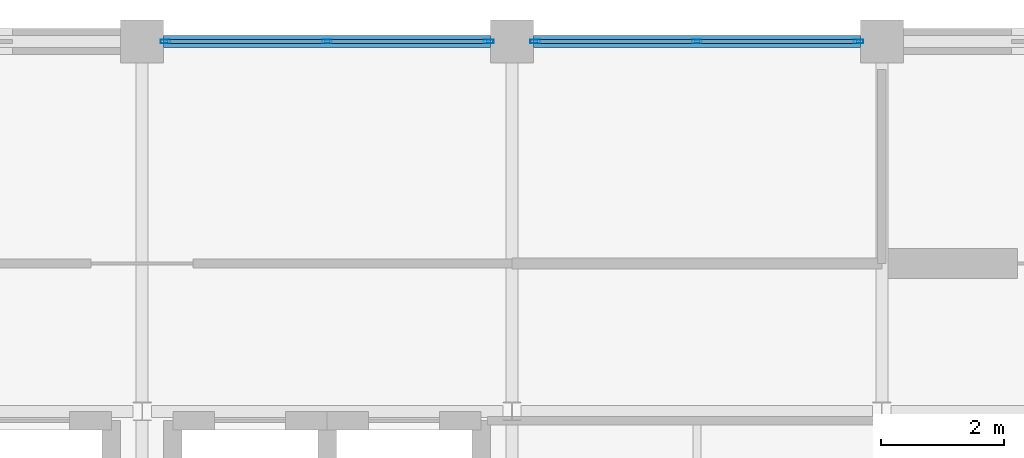
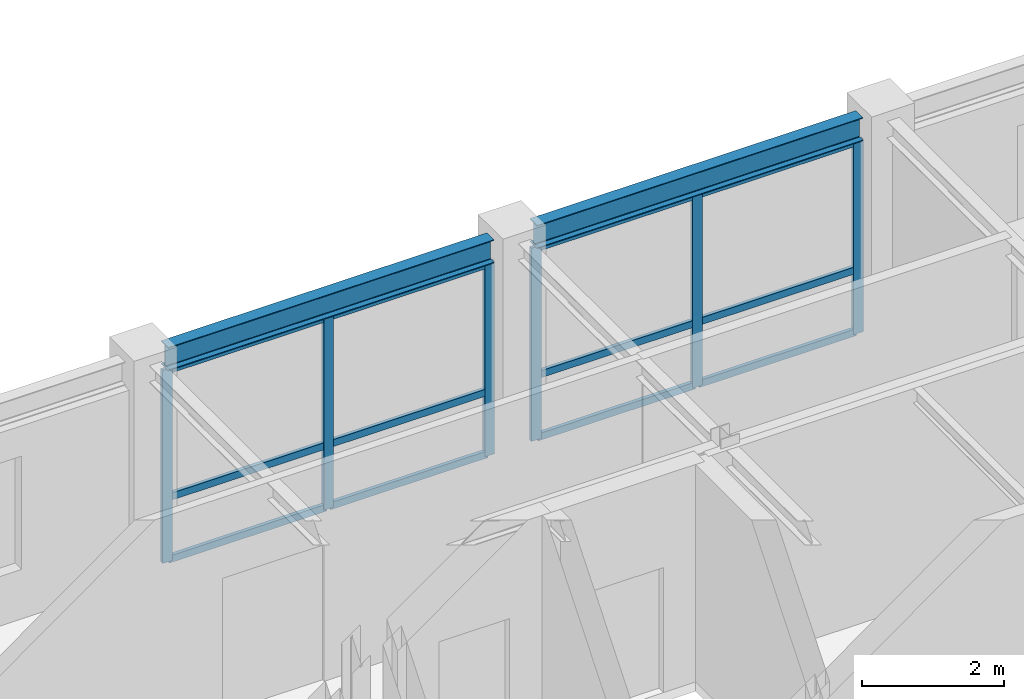
# One storey, part 6 of 11: 18 members, 2 beams, 2 elements without a shape of their own.
"""IFC4 building model written with IfcOpenShell, lengths in metres."""

import ifcopenshell
import ifcopenshell.guid

model = None  # the IFC model being written
_history = None  # IfcOwnerHistory: only IFC2X3 demands one
_inside = {}  # id of a spatial element -> (the spatial element, [elements in it])
_under = {}  # id of a project, library or spatial element -> (it, [spatial elements below it])
_declared = {}  # id of a project -> (the project, [libraries it declares])
_typed = {}  # id of a type object -> (the type object, [elements of that type])
_made_of = {}  # id of a material, layer set ... -> (it, [elements and type objects made of it])


def new_model(schema):
    """Start an empty IFC model of exactly this schema.

    Asked for "IFC4X3", IfcOpenShell would pick the latest addendum, in which some entities
    have other attributes; the version numbers below select the first issue.
    IFC2X3 requires an IfcOwnerHistory on every rooted entity: one is made here for all.
    """
    global model, _history
    if schema == "IFC4X3":
        model = ifcopenshell.file(schema_version=(4, 3, 0, 0))
    else:
        model = ifcopenshell.file(schema=schema)
    _inside.clear()
    _under.clear()
    _declared.clear()
    _typed.clear()
    _made_of.clear()
    _history = None
    if model.schema == "IFC2X3":
        org = make("IfcOrganization", Name="unknown")
        user = make(
            "IfcPersonAndOrganization",
            ThePerson=make("IfcPerson", FamilyName="unknown"),
            TheOrganization=org,
        )
        app = make(
            "IfcApplication",
            ApplicationDeveloper=org,
            Version="unknown",
            ApplicationFullName="unknown",
            ApplicationIdentifier="unknown",
        )
        _history = make(
            "IfcOwnerHistory",
            OwningUser=user,
            OwningApplication=app,
            ChangeAction="ADDED",
            CreationDate=0,
        )
    return model


def make(cls, **values):
    """One entity of the class cls with the attributes given. An attribute that is None is left unset."""
    return model.create_entity(
        cls, **{name: value for name, value in values.items() if value is not None}
    )


def rooted(cls, **values):
    """An entity with a GlobalId (a new one), such as an element, a storey or a relation."""
    return make(cls, GlobalId=ifcopenshell.guid.new(), OwnerHistory=_history, **values)


def si_unit(unit_type, name, prefix=None):
    """IfcSIUnit, for example si_unit("LENGTHUNIT", "METRE", prefix="MILLI")."""
    return make("IfcSIUnit", UnitType=unit_type, Prefix=prefix, Name=name)


def assignment(units):
    """IfcUnitAssignment: the units of a project."""
    return None if units is None else make("IfcUnitAssignment", Units=units)


def point(xyz):
    """IfcCartesianPoint."""
    return None if xyz is None else make("IfcCartesianPoint", Coordinates=xyz)


def direction(xyz):
    """IfcDirection."""
    return None if xyz is None else make("IfcDirection", DirectionRatios=xyz)


def frame(location, z_axis=None, x_axis=None):
    """IfcAxis2Placement3D, a coordinate frame: its origin and axes. An axis left out is left unset."""
    return make(
        "IfcAxis2Placement3D",
        Location=point(location),
        Axis=direction(z_axis),
        RefDirection=direction(x_axis),
    )


def frame_2d(location, x_axis=None):
    """IfcAxis2Placement2D, a coordinate frame in the plane: its origin and x axis."""
    return make(
        "IfcAxis2Placement2D", Location=point(location), RefDirection=direction(x_axis)
    )


def origin():
    """The frame at (0, 0, 0) with its axes left unset."""
    return frame((0.0, 0.0, 0.0))


def origin_2d():
    """The frame at (0, 0) in the plane with its x axis left unset."""
    return frame_2d((0.0, 0.0))


def place(relative_to, where):
    """IfcLocalPlacement: puts the frame where relative to a parent placement (None: the world)."""
    return make(
        "IfcLocalPlacement", PlacementRelTo=relative_to, RelativePlacement=where
    )


def context(
    kind, dimensions, precision=None, world=None, true_north=None, identifier=None
):
    """IfcGeometricRepresentationContext, for example the 3D "Model" context."""
    return make(
        "IfcGeometricRepresentationContext",
        ContextIdentifier=identifier,
        ContextType=kind,
        CoordinateSpaceDimension=dimensions,
        Precision=precision,
        WorldCoordinateSystem=world,
        TrueNorth=true_north,
    )


def subcontext(parent, identifier, kind, view, scale=None):
    """IfcGeometricRepresentationSubContext, for example "Body" below "Model"."""
    return make(
        "IfcGeometricRepresentationSubContext",
        ContextIdentifier=identifier,
        ContextType=kind,
        ParentContext=parent,
        TargetScale=scale,
        TargetView=view,
    )


def project(units=None, contexts=None):
    """IfcProject with its units and contexts."""
    return rooted(
        "IfcProject",
        Name="project",
        RepresentationContexts=contexts,
        UnitsInContext=assignment(units),
    )


def spatial(cls, under=None, at=None, **own):
    """A site, building, storey or space (cls), placed at a placement, below another one or the project."""
    s = rooted(cls, ObjectPlacement=at, **own)
    if under is not None:
        _under.setdefault(under.id(), (under, []))[1].append(s)
    return s


def profile(cls, at=None, kind="AREA", **sizes):
    """A parametric profile (cls). Its sizes go by their IFC names, for example OverallWidth=200.0."""
    return make(cls, ProfileType=kind, Position=at, **sizes)


def hollow_rectangle(**sizes):
    """IfcRectangleHollowProfileDef."""
    return profile("IfcRectangleHollowProfileDef", **sizes)


def i_section(**sizes):
    """IfcIShapeProfileDef."""
    return profile("IfcIShapeProfileDef", **sizes)


def extrude(swept, where, along, depth):
    """IfcExtrudedAreaSolid: the profile swept, set in the frame where, extruded along a direction by depth."""
    return make(
        "IfcExtrudedAreaSolid",
        SweptArea=swept,
        Position=where,
        ExtrudedDirection=direction(along),
        Depth=depth,
    )


def shape(context_of_items, identifier, shape_type, items):
    """IfcShapeRepresentation: the items that make up one representation, for example the "Body"."""
    return make(
        "IfcShapeRepresentation",
        ContextOfItems=context_of_items,
        RepresentationIdentifier=identifier,
        RepresentationType=shape_type,
        Items=items,
    )


def material(Name=None, Category=None):
    """IfcMaterial."""
    return make("IfcMaterial", Name=Name, Category=Category)


def layer(
    of_material, thickness, ventilated=None, Name=None, Category=None, Priority=None
):
    """IfcMaterialLayer: one layer of a wall or slab, of a material (None: an air gap)."""
    return make(
        "IfcMaterialLayer",
        Material=of_material,
        LayerThickness=thickness,
        IsVentilated=ventilated,
        Name=Name,
        Category=Category,
        Priority=Priority,
    )


def layer_set(layers, Name=None):
    """IfcMaterialLayerSet."""
    return make("IfcMaterialLayerSet", MaterialLayers=layers, LayerSetName=Name)


def material_profile(
    of_material, cross_section, Name=None, Category=None, Priority=None
):
    """IfcMaterialProfile: a cross section and its material."""
    return make(
        "IfcMaterialProfile",
        Name=Name,
        Material=of_material,
        Profile=cross_section,
        Priority=Priority,
        Category=Category,
    )


def profile_set(profiles, Name=None, composite=None):
    """IfcMaterialProfileSet."""
    return make(
        "IfcMaterialProfileSet",
        Name=Name,
        MaterialProfiles=profiles,
        CompositeProfile=composite,
    )


def made_of(thing, what):
    """Note that an element or type object is made of a material, layer set ...; save() writes the relation."""
    if what is not None:
        _made_of.setdefault(what.id(), (what, []))[1].append(thing)
    return thing


def type_object(cls, material=None, **own):
    """A type object (cls), such as IfcWallType, which elements share."""
    return made_of(rooted(cls, **own), material)


def element(
    cls,
    number,
    at=None,
    inside=None,
    cuts=None,
    type_object=None,
    material=None,
    context=None,
    identifier="Body",
    shape_type=None,
    held_by="IfcProductDefinitionShape",
    body=None,
    shapes=None,
    **own,
):
    """One element of the class cls, such as IfcWall. Its Tag is "e" and its number.

    at: its placement. inside: the storey or other place that contains it. cuts: it is an
    opening in that element (IfcRelVoidsElement). A single representation is given by context,
    identifier, shape_type and body (its items); several are given by shapes. held_by: the class
    of the entity that holds the representations. save() writes the other relations.
    """
    e = rooted(cls, Tag="e%d" % number, ObjectPlacement=at, **own)
    if body is not None:
        shapes = [shape(context, identifier, shape_type, body)]
    if shapes is not None:
        e.Representation = make(held_by, Representations=shapes)
    if inside is not None:
        _inside.setdefault(inside.id(), (inside, []))[1].append(e)
    if cuts is not None:
        rooted(
            "IfcRelVoidsElement", RelatingBuildingElement=cuts, RelatedOpeningElement=e
        )
    if type_object is not None:
        _typed.setdefault(type_object.id(), (type_object, []))[1].append(e)
    return made_of(e, material)


def aggregate(whole, parts):
    """IfcRelAggregates: a whole, such as a stair, and the parts it consists of."""
    return rooted("IfcRelAggregates", RelatingObject=whole, RelatedObjects=parts)


def save(model, path):
    """Write the relations noted so far, then the file.

    IfcRelAggregates (storeys below a building ...), IfcRelContainedInSpatialStructure (elements
    in a storey), IfcRelDefinesByType, IfcRelAssociatesMaterial and IfcRelDeclares: one each for
    every whole, place, type object, material and project.
    """
    for whole, parts in _under.values():
        aggregate(whole, parts)
    for where, things in _inside.values():
        rooted(
            "IfcRelContainedInSpatialStructure",
            RelatedElements=things,
            RelatingStructure=where,
        )
    for kind, things in _typed.values():
        rooted("IfcRelDefinesByType", RelatedObjects=things, RelatingType=kind)
    for what, things in _made_of.values():
        rooted("IfcRelAssociatesMaterial", RelatedObjects=things, RelatingMaterial=what)
    for by, libraries in _declared.values():
        rooted("IfcRelDeclares", RelatingContext=by, RelatedDefinitions=libraries)
    model.write(path)


model = new_model("IFC4")

# Units and contexts
model_context = context("Model", 3, precision=1e-05, world=origin(), true_north=direction((0.0, 1.0)))
body_context = subcontext(model_context, "Body", "Model", "MODEL_VIEW")
ifc_project = project(units=[si_unit("LENGTHUNIT", "METRE"), si_unit("AREAUNIT", "SQUARE_METRE"), si_unit("VOLUMEUNIT", "CUBIC_METRE"), si_unit("PLANEANGLEUNIT", "RADIAN"), si_unit("MASSUNIT", "GRAM", prefix="KILO")], contexts=[model_context])

# Site, building, storey
site_placement = place(None, origin())
site = spatial("IfcSite", under=ifc_project, at=site_placement, CompositionType="ELEMENT")
building_placement = place(site_placement, origin())
building = spatial("IfcBuilding", under=site, at=building_placement, Name="Zlatovratsky Civic Hall", CompositionType="ELEMENT")
storey_placement = place(building_placement, frame((0.0, 0.0, 52.199951171875)))
storey = spatial("IfcBuildingStorey", under=building, at=storey_placement, Name="L13", CompositionType="ELEMENT", Elevation=52.199951171875)

# Beams
ifc_material_1 = material(Name="Steel S355", Category="steel")
ifc_material_profile_1 = material_profile(ifc_material_1, i_section(OverallWidth=0.199951171875, OverallDepth=0.39990234375, WebThickness=0.008056640625, FlangeThickness=0.012939453125, FilletRadius=0.014892578125, at=origin_2d()), Name="40B2")
ifc_profile_set_1 = profile_set([ifc_material_profile_1], Name="Steel S355")
beam_type = type_object("IfcBeamType", Name="Beam_Spandrel_40B2", PredefinedType="SPANDREL", material=ifc_profile_set_1)
for number, where, z_axis, x_axis, name in (
    (1, (78.35009765625, 102.0, 3.5400390625), (1.0, 0.0, 0.0), (0.0, 1.0, 0.0), "BM-4922"),
    (2, (84.35009765625, 102.0, 3.5400390625), (1.0, 0.0, 0.0), (0.0, 1.0, 0.0), "BM-4923"),
):
    element("IfcBeam", number, at=place(storey_placement, frame(where, z_axis=z_axis, x_axis=x_axis)), inside=storey, type_object=beam_type, Name=name, PredefinedType="SPANDREL", context=body_context, shape_type="SweptSolid", body=[
        extrude(i_section(OverallWidth=0.199951171875, OverallDepth=0.39990234375, WebThickness=0.008056640625, FlangeThickness=0.012939453125, FilletRadius=0.014892578125, at=origin_2d()), origin(), (0.0, 0.0, 1.0), 5.2998046875),
    ])

# Curtain wall, members
ifc_material_2 = material(Name="Anodised bronze aluminium", Category="aluminium")
ifc_layer = layer(ifc_material_2, 0.159912109375)
ifc_layer_set = layer_set([ifc_layer], Name="Anodised bronze aluminium")
curtain_wall_type = type_object("IfcCurtainWallType", Name="CurtainWall_Bronze_5300x3320_21", PredefinedType="NOTDEFINED", material=ifc_layer_set)
curtain_wall_1_placement = place(storey_placement, origin())
curtain_wall_1 = element("IfcCurtainWall", 3, at=curtain_wall_1_placement, inside=storey, type_object=curtain_wall_type, Name="CW-163", PredefinedType="NOTDEFINED")
ifc_material_profile_2 = material_profile(ifc_material_2, hollow_rectangle(XDim=0.06005859375, YDim=0.159912109375, WallThickness=0.00390625, at=origin_2d()), Name="ALU 60x160x4")
ifc_profile_set_2 = profile_set([ifc_material_profile_2], Name="Anodised bronze aluminium")
member_type_1 = type_object("IfcMemberType", Name="CW_Mullion_60x160", PredefinedType="MULLION", material=ifc_profile_set_2)
member_1_placement = place(storey_placement, frame((78.3798828125, 102.0, 0.0), z_axis=(0.0, 0.0, 1.0), x_axis=(0.0, 1.0, 0.0)))
member_1 = element("IfcMember", 4, at=member_1_placement, type_object=member_type_1, Name="CW-21 mullion 1", PredefinedType="MULLION", context=body_context, shape_type="SweptSolid", body=[
    extrude(hollow_rectangle(XDim=0.06005859375, YDim=0.159912109375, WallThickness=0.00390625, at=origin_2d()), origin(), (0.0, 0.0, 1.0), 3.320068359375),
])
member_2_placement = place(storey_placement, frame((81.0, 102.0, 0.0), z_axis=(0.0, 0.0, 1.0), x_axis=(0.0, 1.0, 0.0)))
member_2 = element("IfcMember", 5, at=member_2_placement, type_object=member_type_1, Name="CW-21 mullion 2", PredefinedType="MULLION", context=body_context, shape_type="SweptSolid", body=[
    extrude(hollow_rectangle(XDim=0.06005859375, YDim=0.159912109375, WallThickness=0.00390625, at=origin_2d()), origin(), (0.0, 0.0, 1.0), 3.320068359375),
])
member_3_placement = place(storey_placement, frame((83.6201171875, 102.0, 0.0), z_axis=(0.0, 0.0, 1.0), x_axis=(0.0, 1.0, 0.0)))
member_3 = element("IfcMember", 6, at=member_3_placement, type_object=member_type_1, Name="CW-21 mullion 3", PredefinedType="MULLION", context=body_context, shape_type="SweptSolid", body=[
    extrude(hollow_rectangle(XDim=0.06005859375, YDim=0.159912109375, WallThickness=0.00390625, at=origin_2d()), origin(), (0.0, 0.0, 1.0), 3.320068359375),
])

curtain_wall_2_placement = place(storey_placement, origin())
curtain_wall_2 = element("IfcCurtainWall", 7, at=curtain_wall_2_placement, inside=storey, type_object=curtain_wall_type, Name="CW-164", PredefinedType="NOTDEFINED")
member_4_placement = place(storey_placement, frame((84.3798828125, 102.0, 0.0), z_axis=(0.0, 0.0, 1.0), x_axis=(0.0, 1.0, 0.0)))
member_4 = element("IfcMember", 8, at=member_4_placement, type_object=member_type_1, Name="CW-21 mullion 1", PredefinedType="MULLION", context=body_context, shape_type="SweptSolid", body=[
    extrude(hollow_rectangle(XDim=0.06005859375, YDim=0.159912109375, WallThickness=0.00390625, at=origin_2d()), origin(), (0.0, 0.0, 1.0), 3.320068359375),
])
member_5_placement = place(storey_placement, frame((87.0, 102.0, 0.0), z_axis=(0.0, 0.0, 1.0), x_axis=(0.0, 1.0, 0.0)))
member_5 = element("IfcMember", 9, at=member_5_placement, type_object=member_type_1, Name="CW-21 mullion 2", PredefinedType="MULLION", context=body_context, shape_type="SweptSolid", body=[
    extrude(hollow_rectangle(XDim=0.06005859375, YDim=0.159912109375, WallThickness=0.00390625, at=origin_2d()), origin(), (0.0, 0.0, 1.0), 3.320068359375),
])
member_6_placement = place(storey_placement, frame((89.6201171875, 102.0, 0.0), z_axis=(0.0, 0.0, 1.0), x_axis=(0.0, 1.0, 0.0)))
member_6 = element("IfcMember", 10, at=member_6_placement, type_object=member_type_1, Name="CW-21 mullion 3", PredefinedType="MULLION", context=body_context, shape_type="SweptSolid", body=[
    extrude(hollow_rectangle(XDim=0.06005859375, YDim=0.159912109375, WallThickness=0.00390625, at=origin_2d()), origin(), (0.0, 0.0, 1.0), 3.320068359375),
])

# Member
ifc_material_profile_3 = material_profile(ifc_material_2, hollow_rectangle(XDim=0.06005859375, YDim=0.1201171875, WallThickness=0.00390625, at=origin_2d()), Name="ALU 60x120x4")
ifc_profile_set_3 = profile_set([ifc_material_profile_3], Name="Anodised bronze aluminium")
member_type_2 = type_object("IfcMemberType", Name="CW_Transom_60x120", PredefinedType="USERDEFINED", material=ifc_profile_set_3)
member_7_placement = place(storey_placement, frame((78.409912109375, 102.0, 0.030029296875), z_axis=(1.0, 0.0, 0.0), x_axis=(0.0, 1.0, 0.0)))
member_7 = element("IfcMember", 11, at=member_7_placement, type_object=member_type_2, Name="CW-21 transom 1.1", ObjectType="TRANSOM", PredefinedType="USERDEFINED", context=body_context, shape_type="SweptSolid", body=[
    extrude(hollow_rectangle(XDim=0.06005859375, YDim=0.1201171875, WallThickness=0.00390625, at=origin_2d()), origin(), (0.0, 0.0, 1.0), 2.56005859375),
])

member_8_placement = place(storey_placement, frame((78.409912109375, 102.0, 1.10009765625), z_axis=(1.0, 0.0, 0.0), x_axis=(0.0, 1.0, 0.0)))
member_8 = element("IfcMember", 12, at=member_8_placement, type_object=member_type_2, Name="CW-21 transom 1.2", ObjectType="TRANSOM", PredefinedType="USERDEFINED", context=body_context, shape_type="SweptSolid", body=[
    extrude(hollow_rectangle(XDim=0.06005859375, YDim=0.1201171875, WallThickness=0.00390625, at=origin_2d()), origin(), (0.0, 0.0, 1.0), 2.56005859375),
])

member_9_placement = place(storey_placement, frame((78.409912109375, 102.0, 3.2900390625), z_axis=(1.0, 0.0, 0.0), x_axis=(0.0, 1.0, 0.0)))
member_9 = element("IfcMember", 13, at=member_9_placement, type_object=member_type_2, Name="CW-21 transom 1.3", ObjectType="TRANSOM", PredefinedType="USERDEFINED", context=body_context, shape_type="SweptSolid", body=[
    extrude(hollow_rectangle(XDim=0.06005859375, YDim=0.1201171875, WallThickness=0.00390625, at=origin_2d()), origin(), (0.0, 0.0, 1.0), 2.56005859375),
])

member_10_placement = place(storey_placement, frame((81.030029296875, 102.0, 0.030029296875), z_axis=(1.0, 0.0, 0.0), x_axis=(0.0, 1.0, 0.0)))
member_10 = element("IfcMember", 14, at=member_10_placement, type_object=member_type_2, Name="CW-21 transom 2.1", ObjectType="TRANSOM", PredefinedType="USERDEFINED", context=body_context, shape_type="SweptSolid", body=[
    extrude(hollow_rectangle(XDim=0.06005859375, YDim=0.1201171875, WallThickness=0.00390625, at=origin_2d()), origin(), (0.0, 0.0, 1.0), 2.56005859375),
])

member_11_placement = place(storey_placement, frame((81.030029296875, 102.0, 1.10009765625), z_axis=(1.0, 0.0, 0.0), x_axis=(0.0, 1.0, 0.0)))
member_11 = element("IfcMember", 15, at=member_11_placement, type_object=member_type_2, Name="CW-21 transom 2.2", ObjectType="TRANSOM", PredefinedType="USERDEFINED", context=body_context, shape_type="SweptSolid", body=[
    extrude(hollow_rectangle(XDim=0.06005859375, YDim=0.1201171875, WallThickness=0.00390625, at=origin_2d()), origin(), (0.0, 0.0, 1.0), 2.56005859375),
])

member_12_placement = place(storey_placement, frame((81.030029296875, 102.0, 3.2900390625), z_axis=(1.0, 0.0, 0.0), x_axis=(0.0, 1.0, 0.0)))
member_12 = element("IfcMember", 16, at=member_12_placement, type_object=member_type_2, Name="CW-21 transom 2.3", ObjectType="TRANSOM", PredefinedType="USERDEFINED", context=body_context, shape_type="SweptSolid", body=[
    extrude(hollow_rectangle(XDim=0.06005859375, YDim=0.1201171875, WallThickness=0.00390625, at=origin_2d()), origin(), (0.0, 0.0, 1.0), 2.56005859375),
])

aggregate(curtain_wall_1, [member_1, member_2, member_3, member_7, member_8, member_9, member_10, member_11, member_12])

member_13_placement = place(storey_placement, frame((84.409912109375, 102.0, 0.030029296875), z_axis=(1.0, 0.0, 0.0), x_axis=(0.0, 1.0, 0.0)))
member_13 = element("IfcMember", 17, at=member_13_placement, type_object=member_type_2, Name="CW-21 transom 1.1", ObjectType="TRANSOM", PredefinedType="USERDEFINED", context=body_context, shape_type="SweptSolid", body=[
    extrude(hollow_rectangle(XDim=0.06005859375, YDim=0.1201171875, WallThickness=0.00390625, at=origin_2d()), origin(), (0.0, 0.0, 1.0), 2.56005859375),
])

member_14_placement = place(storey_placement, frame((84.409912109375, 102.0, 1.10009765625), z_axis=(1.0, 0.0, 0.0), x_axis=(0.0, 1.0, 0.0)))
member_14 = element("IfcMember", 18, at=member_14_placement, type_object=member_type_2, Name="CW-21 transom 1.2", ObjectType="TRANSOM", PredefinedType="USERDEFINED", context=body_context, shape_type="SweptSolid", body=[
    extrude(hollow_rectangle(XDim=0.06005859375, YDim=0.1201171875, WallThickness=0.00390625, at=origin_2d()), origin(), (0.0, 0.0, 1.0), 2.56005859375),
])

member_15_placement = place(storey_placement, frame((84.409912109375, 102.0, 3.2900390625), z_axis=(1.0, 0.0, 0.0), x_axis=(0.0, 1.0, 0.0)))
member_15 = element("IfcMember", 19, at=member_15_placement, type_object=member_type_2, Name="CW-21 transom 1.3", ObjectType="TRANSOM", PredefinedType="USERDEFINED", context=body_context, shape_type="SweptSolid", body=[
    extrude(hollow_rectangle(XDim=0.06005859375, YDim=0.1201171875, WallThickness=0.00390625, at=origin_2d()), origin(), (0.0, 0.0, 1.0), 2.56005859375),
])

member_16_placement = place(storey_placement, frame((87.030029296875, 102.0, 0.030029296875), z_axis=(1.0, 0.0, 0.0), x_axis=(0.0, 1.0, 0.0)))
member_16 = element("IfcMember", 20, at=member_16_placement, type_object=member_type_2, Name="CW-21 transom 2.1", ObjectType="TRANSOM", PredefinedType="USERDEFINED", context=body_context, shape_type="SweptSolid", body=[
    extrude(hollow_rectangle(XDim=0.06005859375, YDim=0.1201171875, WallThickness=0.00390625, at=origin_2d()), origin(), (0.0, 0.0, 1.0), 2.56005859375),
])

member_17_placement = place(storey_placement, frame((87.030029296875, 102.0, 1.10009765625), z_axis=(1.0, 0.0, 0.0), x_axis=(0.0, 1.0, 0.0)))
member_17 = element("IfcMember", 21, at=member_17_placement, type_object=member_type_2, Name="CW-21 transom 2.2", ObjectType="TRANSOM", PredefinedType="USERDEFINED", context=body_context, shape_type="SweptSolid", body=[
    extrude(hollow_rectangle(XDim=0.06005859375, YDim=0.1201171875, WallThickness=0.00390625, at=origin_2d()), origin(), (0.0, 0.0, 1.0), 2.56005859375),
])

member_18_placement = place(storey_placement, frame((87.030029296875, 102.0, 3.2900390625), z_axis=(1.0, 0.0, 0.0), x_axis=(0.0, 1.0, 0.0)))
member_18 = element("IfcMember", 22, at=member_18_placement, type_object=member_type_2, Name="CW-21 transom 2.3", ObjectType="TRANSOM", PredefinedType="USERDEFINED", context=body_context, shape_type="SweptSolid", body=[
    extrude(hollow_rectangle(XDim=0.06005859375, YDim=0.1201171875, WallThickness=0.00390625, at=origin_2d()), origin(), (0.0, 0.0, 1.0), 2.56005859375),
])

aggregate(curtain_wall_2, [member_4, member_5, member_6, member_13, member_14, member_15, member_16, member_17, member_18])

save(model, "model.ifc")
